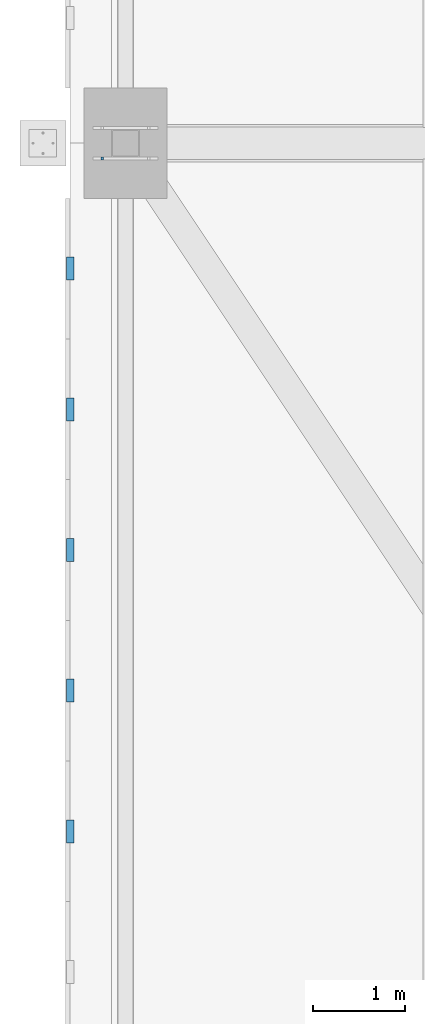
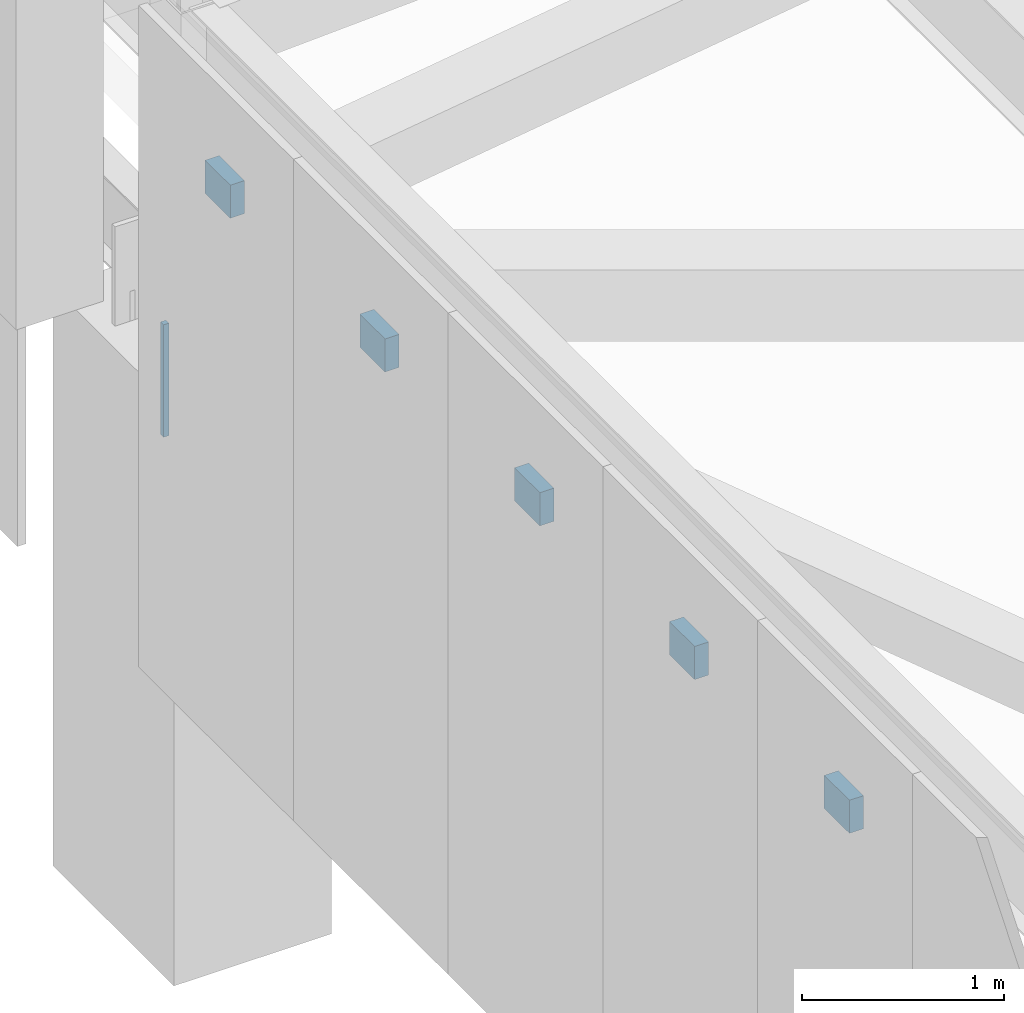
# One storey, part 156 of 278: 5 discrete accessories, 1 mechanical fastener.
"""IFC4 building model written with IfcOpenShell, lengths in metres."""

from ifc_helpers import new_model, si_unit, direction, frame, origin, origin_2d, place, context, subcontext, project, spatial, rectangle, extrude, material, layer, layer_set, type_object, element, save


model = new_model("IFC4")

# Units and contexts
model_context = context("Model", 3, precision=1e-05, world=origin(), true_north=direction((0.0, 1.0)))
body_context = subcontext(model_context, "Body", "Model", "MODEL_VIEW")
ifc_project = project(units=[si_unit("LENGTHUNIT", "METRE"), si_unit("AREAUNIT", "SQUARE_METRE"), si_unit("VOLUMEUNIT", "CUBIC_METRE"), si_unit("PLANEANGLEUNIT", "RADIAN"), si_unit("MASSUNIT", "GRAM", prefix="KILO")], contexts=[model_context])

# Site, building, storey
site_placement = place(None, origin())
site = spatial("IfcSite", under=ifc_project, at=site_placement, CompositionType="ELEMENT")
building_placement = place(site_placement, origin())
building = spatial("IfcBuilding", under=site, at=building_placement, Name="Ogive Plaza Stadium", CompositionType="ELEMENT")
storey_placement = place(building_placement, frame((0.0, 0.0, 29.0)))
storey = spatial("IfcBuildingStorey", under=building, at=storey_placement, Name="Roof", CompositionType="ELEMENT", Elevation=29.0)

# Mechanical fastener
ifc_material_1 = material(Name="Steel ASTM A992 Grade 50", Category="steel")
mechanical_fastener_type = type_object("IfcMechanicalFastenerType", Name="Anchor bolt M30 x 600", PredefinedType="ANCHORBOLT", material=ifc_material_1)
mechanical_fastener_placement = place(storey_placement, frame((-84.25244140625, -7.66650390625, 3.0), z_axis=(0.0, 0.0, 1.0), x_axis=(-1.0, 0.0, 0.0)))
element("IfcMechanicalFastener", 1, at=mechanical_fastener_placement, inside=storey, type_object=mechanical_fastener_type, Name="ANCHOR BOLT 24 BF 1.1", PredefinedType="ANCHORBOLT", context=body_context, shape_type="SweptSolid", body=[
    extrude(rectangle(XDim=0.030029296875, YDim=0.030029296875, at=origin_2d()), origin(), (0.0, 0.0, 1.0), 0.679931640625),
])

# Discrete accessories
ifc_material_2 = material(Name="Steel ASTM A572 Grade 50", Category="steel")
ifc_layer = layer(ifc_material_2, 0.080078125)
ifc_layer_set = layer_set([ifc_layer], Name="Steel ASTM A572 Grade 50")
discrete_accessory_type = type_object("IfcDiscreteAccessoryType", Name="Tracery screen bracket 250x200", PredefinedType="BRACKET", material=ifc_layer_set)
for number, where, z_axis, x_axis, name in (
    (2, (-84.602294921875, -15.0, 5.25), (0.0, 0.0, 1.0), (0.0, 1.0, 0.0), "TRACERY SCREEN BRACKET B23 5"),
    (3, (-84.602294921875, -13.466796875, 5.25), (0.0, 0.0, 1.0), (0.0, 1.0, 0.0), "TRACERY SCREEN BRACKET B23 6"),
    (4, (-84.602294921875, -11.933349609375, 5.25), (0.0, 0.0, 1.0), (0.0, 1.0, 0.0), "TRACERY SCREEN BRACKET B23 7"),
    (5, (-84.602294921875, -10.39990234375, 5.25), (0.0, 0.0, 1.0), (0.0, 1.0, 0.0), "TRACERY SCREEN BRACKET B23 8"),
    (6, (-84.602294921875, -8.86669921875, 5.25), (0.0, 0.0, 1.0), (0.0, 1.0, 0.0), "TRACERY SCREEN BRACKET B23 9"),
):
    element("IfcDiscreteAccessory", number, at=place(storey_placement, frame(where, z_axis=z_axis, x_axis=x_axis)), inside=storey, type_object=discrete_accessory_type, Name=name, PredefinedType="BRACKET", context=body_context, shape_type="SweptSolid", body=[
        extrude(rectangle(XDim=0.25, YDim=0.080078125, at=origin_2d()), origin(), (0.0, 0.0, 1.0), 0.199951171875),
    ])

save(model, "model.ifc")
